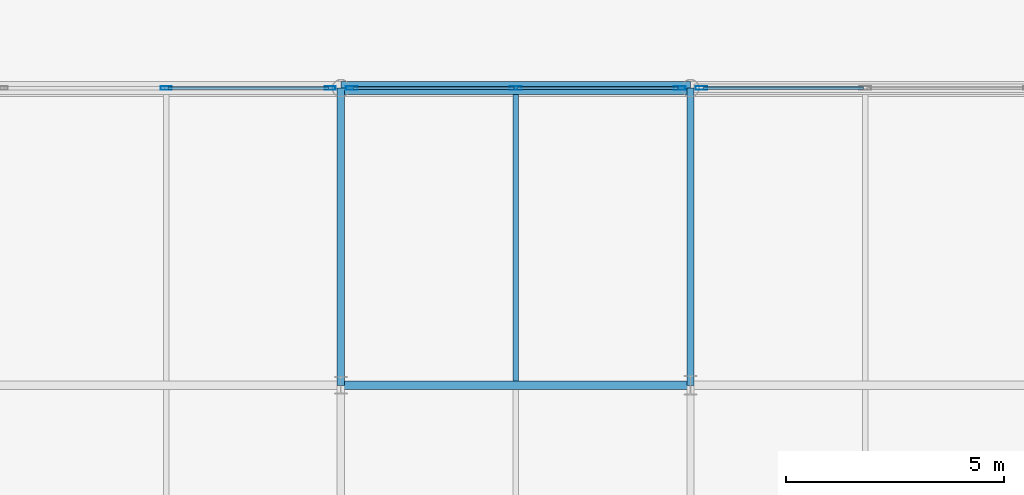
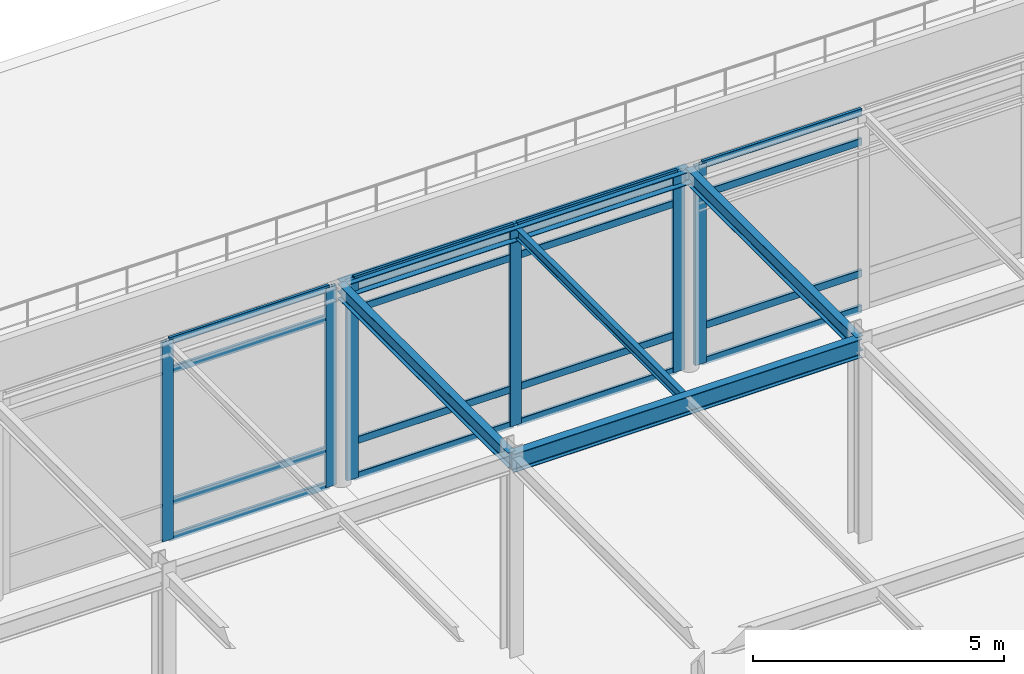
# One storey, part 50 of 113: 22 members, 5 beams, 3 elements without a shape of their own.
"""IFC4 building model written with IfcOpenShell, lengths in metres."""

from ifc_helpers import new_model, si_unit, direction, frame, origin, origin_2d, place, context, subcontext, project, spatial, hollow_rectangle, i_section, extrude, material, layer, layer_set, material_profile, profile_set, type_object, element, aggregate, save


model = new_model("IFC4")

# Units and contexts
model_context = context("Model", 3, precision=1e-05, world=origin(), true_north=direction((0.0, 1.0)))
body_context = subcontext(model_context, "Body", "Model", "MODEL_VIEW")
ifc_project = project(units=[si_unit("LENGTHUNIT", "METRE"), si_unit("AREAUNIT", "SQUARE_METRE"), si_unit("VOLUMEUNIT", "CUBIC_METRE"), si_unit("PLANEANGLEUNIT", "RADIAN"), si_unit("MASSUNIT", "GRAM", prefix="KILO")], contexts=[model_context])

# Site, building, storey
site_placement = place(None, origin())
site = spatial("IfcSite", under=ifc_project, at=site_placement, CompositionType="ELEMENT")
building_placement = place(site_placement, origin())
building = spatial("IfcBuilding", under=site, at=building_placement, Name="Shalkamar Park Central Library", CompositionType="ELEMENT")
storey_placement = place(building_placement, frame((0.0, 0.0, 5.39990234375)))
storey = spatial("IfcBuildingStorey", under=building, at=storey_placement, Name="L02", CompositionType="ELEMENT", Elevation=5.39990234375)

# Beam
ifc_material_1 = material(Name="Steel S355", Category="steel")
ifc_material_profile_1 = material_profile(ifc_material_1, i_section(OverallWidth=0.1201171875, OverallDepth=0.239990234375, WebThickness=0.006103515625, FlangeThickness=0.009765625, FilletRadius=0.014892578125, at=origin_2d()), Name="IPE 240")
ifc_profile_set_1 = profile_set([ifc_material_profile_1], Name="Steel S355")
beam_type_1 = type_object("IfcBeamType", Name="Composite Floor Joist IPE240", PredefinedType="JOIST", material=ifc_profile_set_1)
beam_1_placement = place(storey_placement, frame((225.0, 331.29296875, 4.72998046875), z_axis=(0.0, 1.0, 0.0), x_axis=(-1.0, 0.0, 0.0)))
element("IfcBeam", 1, at=beam_1_placement, inside=storey, type_object=beam_type_1, Name="Composite Joist 14/N-1 (L02)", PredefinedType="JOIST", context=body_context, shape_type="SweptSolid", body=[
    extrude(i_section(OverallWidth=0.1201171875, OverallDepth=0.239990234375, WebThickness=0.006103515625, FlangeThickness=0.009765625, FilletRadius=0.014892578125, at=origin_2d()), origin(), (0.0, 0.0, 1.0), 6.55908203125),
])

# Curtain wall, members
ifc_material_2 = material(Name="Thermally broken aluminium and triple low-e curtain wall", Category="aluminium")
ifc_layer_1 = layer(ifc_material_2, 0.2548828125)
ifc_layer_set_1 = layer_set([ifc_layer_1], Name="UnitisedCurtainWall_30")
curtain_wall_type_1 = type_object("IfcCurtainWallType", Name="Unitised Curtain Wall 30", PredefinedType="USERDEFINED", material=ifc_layer_set_1)
curtain_wall_1_placement = place(storey_placement, origin())
curtain_wall_1 = element("IfcCurtainWall", 2, at=curtain_wall_1_placement, inside=storey, type_object=curtain_wall_type_1, Name="Unitised Curtain Wall CW-L02-034", ObjectType="UNITISED CURTAIN WALL", PredefinedType="USERDEFINED")
ifc_material_3 = material(Name="Aluminium 6060-T66", Category="aluminium")
ifc_material_profile_2 = material_profile(ifc_material_3, hollow_rectangle(XDim=0.080078125, YDim=0.2548828125, WallThickness=0.00439453125, InnerFilletRadius=0.00439453125, OuterFilletRadius=0.0068359375, at=origin_2d()), Name="ALU 80x255x4.5")
ifc_profile_set_2 = profile_set([ifc_material_profile_2], Name="Aluminium 6060-T66")
member_type_1 = type_object("IfcMemberType", Name="Curtain Wall Mullion ALU80x255", PredefinedType="MULLION", material=ifc_profile_set_2)
member_1_placement = place(storey_placement, frame((217.0, 338.0, 0.0), z_axis=(0.0, 0.0, 1.0), x_axis=(0.0, 1.0, 0.0)))
member_1 = element("IfcMember", 3, at=member_1_placement, type_object=member_type_1, Name="CW-30 mullion 2", PredefinedType="MULLION", context=body_context, shape_type="SweptSolid", body=[
    extrude(hollow_rectangle(XDim=0.080078125, YDim=0.2548828125, WallThickness=0.00439453125, InnerFilletRadius=0.00439453125, OuterFilletRadius=0.0068359375, at=origin_2d()), origin(), (0.0, 0.0, 1.0), 4.85009765625),
])
member_2_placement = place(storey_placement, frame((220.752685546875, 338.0, 0.0), z_axis=(0.0, 0.0, 1.0), x_axis=(0.0, 1.0, 0.0)))
member_2 = element("IfcMember", 4, at=member_2_placement, type_object=member_type_1, Name="CW-30 mullion 3", PredefinedType="MULLION", context=body_context, shape_type="SweptSolid", body=[
    extrude(hollow_rectangle(XDim=0.080078125, YDim=0.2548828125, WallThickness=0.00439453125, InnerFilletRadius=0.00439453125, OuterFilletRadius=0.0068359375, at=origin_2d()), origin(), (0.0, 0.0, 1.0), 4.85009765625),
])

ifc_layer_2 = layer(ifc_material_2, 0.27001953125)
ifc_layer_set_2 = layer_set([ifc_layer_2], Name="UnitisedCurtainWall_31")
curtain_wall_type_2 = type_object("IfcCurtainWallType", Name="Unitised Curtain Wall 31", PredefinedType="USERDEFINED", material=ifc_layer_set_2)
curtain_wall_2_placement = place(storey_placement, origin())
curtain_wall_2 = element("IfcCurtainWall", 5, at=curtain_wall_2_placement, inside=storey, type_object=curtain_wall_type_2, Name="Unitised Curtain Wall CW-L02-035", ObjectType="UNITISED CURTAIN WALL", PredefinedType="USERDEFINED")
ifc_material_profile_3 = material_profile(ifc_material_3, hollow_rectangle(XDim=0.080078125, YDim=0.27001953125, WallThickness=0.0048828125, InnerFilletRadius=0.0048828125, OuterFilletRadius=0.007568359375, at=origin_2d()), Name="ALU 80x270x5")
ifc_profile_set_3 = profile_set([ifc_material_profile_3], Name="Aluminium 6060-T66")
member_type_2 = type_object("IfcMemberType", Name="Curtain Wall Mullion ALU80x270", PredefinedType="MULLION", material=ifc_profile_set_3)
member_3_placement = place(storey_placement, frame((221.247314453125, 338.0, 0.0), z_axis=(0.0, 0.0, 1.0), x_axis=(0.0, 1.0, 0.0)))
member_3 = element("IfcMember", 6, at=member_3_placement, type_object=member_type_2, Name="CW-31 mullion 1", PredefinedType="MULLION", context=body_context, shape_type="SweptSolid", body=[
    extrude(hollow_rectangle(XDim=0.080078125, YDim=0.27001953125, WallThickness=0.0048828125, InnerFilletRadius=0.0048828125, OuterFilletRadius=0.007568359375, at=origin_2d()), origin(), (0.0, 0.0, 1.0), 4.85009765625),
])
member_4_placement = place(storey_placement, frame((225.0, 338.0, 0.0), z_axis=(0.0, 0.0, 1.0), x_axis=(0.0, 1.0, 0.0)))
member_4 = element("IfcMember", 7, at=member_4_placement, type_object=member_type_2, Name="CW-31 mullion 2", PredefinedType="MULLION", context=body_context, shape_type="SweptSolid", body=[
    extrude(hollow_rectangle(XDim=0.080078125, YDim=0.27001953125, WallThickness=0.0048828125, InnerFilletRadius=0.0048828125, OuterFilletRadius=0.007568359375, at=origin_2d()), origin(), (0.0, 0.0, 1.0), 4.85009765625),
])
member_5_placement = place(storey_placement, frame((228.752685546875, 338.0, 0.0), z_axis=(0.0, 0.0, 1.0), x_axis=(0.0, 1.0, 0.0)))
member_5 = element("IfcMember", 8, at=member_5_placement, type_object=member_type_2, Name="CW-31 mullion 3", PredefinedType="MULLION", context=body_context, shape_type="SweptSolid", body=[
    extrude(hollow_rectangle(XDim=0.080078125, YDim=0.27001953125, WallThickness=0.0048828125, InnerFilletRadius=0.0048828125, OuterFilletRadius=0.007568359375, at=origin_2d()), origin(), (0.0, 0.0, 1.0), 4.85009765625),
])

# Curtain wall, member
ifc_layer_3 = layer(ifc_material_2, 0.264892578125)
ifc_layer_set_3 = layer_set([ifc_layer_3], Name="UnitisedCurtainWall_32")
curtain_wall_type_3 = type_object("IfcCurtainWallType", Name="Unitised Curtain Wall 32", PredefinedType="USERDEFINED", material=ifc_layer_set_3)
curtain_wall_3_placement = place(storey_placement, origin())
curtain_wall_3 = element("IfcCurtainWall", 9, at=curtain_wall_3_placement, inside=storey, type_object=curtain_wall_type_3, Name="Unitised Curtain Wall CW-L02-036", ObjectType="UNITISED CURTAIN WALL", PredefinedType="USERDEFINED")
ifc_material_profile_4 = material_profile(ifc_material_3, hollow_rectangle(XDim=0.0849609375, YDim=0.264892578125, WallThickness=0.0048828125, InnerFilletRadius=0.0048828125, OuterFilletRadius=0.007568359375, at=origin_2d()), Name="ALU 85x265x5")
ifc_profile_set_4 = profile_set([ifc_material_profile_4], Name="Aluminium 6060-T66")
member_type_3 = type_object("IfcMemberType", Name="Curtain Wall Mullion ALU85x265", PredefinedType="MULLION", material=ifc_profile_set_4)
member_6_placement = place(storey_placement, frame((229.249755859375, 338.0, 0.0), z_axis=(0.0, 0.0, 1.0), x_axis=(0.0, 1.0, 0.0)))
member_6 = element("IfcMember", 10, at=member_6_placement, type_object=member_type_3, Name="CW-32 mullion 1", PredefinedType="MULLION", context=body_context, shape_type="SweptSolid", body=[
    extrude(hollow_rectangle(XDim=0.0849609375, YDim=0.264892578125, WallThickness=0.0048828125, InnerFilletRadius=0.0048828125, OuterFilletRadius=0.007568359375, at=origin_2d()), origin(), (0.0, 0.0, 1.0), 4.85009765625),
])

# Member
ifc_material_profile_5 = material_profile(ifc_material_3, hollow_rectangle(XDim=0.06494140625, YDim=0.169921875, WallThickness=0.00390625, InnerFilletRadius=0.00390625, OuterFilletRadius=0.006103515625, at=origin_2d()), Name="ALU 65x170x4")
ifc_profile_set_5 = profile_set([ifc_material_profile_5], Name="Aluminium 6060-T66")
member_type_4 = type_object("IfcMemberType", Name="Curtain Wall Transom ALU65x170", PredefinedType="USERDEFINED", material=ifc_profile_set_5)
member_7_placement = place(storey_placement, frame((217.0400390625, 338.0, 0.03271484375), z_axis=(1.0, 0.0, 0.0), x_axis=(0.0, 1.0, 0.0)))
member_7 = element("IfcMember", 11, at=member_7_placement, type_object=member_type_4, Name="CW-30 transom 2.1", ObjectType="TRANSOM", PredefinedType="USERDEFINED", context=body_context, shape_type="SweptSolid", body=[
    extrude(hollow_rectangle(XDim=0.06494140625, YDim=0.169921875, WallThickness=0.00390625, InnerFilletRadius=0.00390625, OuterFilletRadius=0.006103515625, at=origin_2d()), origin(), (0.0, 0.0, 1.0), 3.6728515625),
])

member_8_placement = place(storey_placement, frame((217.0400390625, 338.0, 0.900146484375), z_axis=(1.0, 0.0, 0.0), x_axis=(0.0, 1.0, 0.0)))
member_8 = element("IfcMember", 12, at=member_8_placement, type_object=member_type_4, Name="CW-30 transom 2.2", ObjectType="TRANSOM", PredefinedType="USERDEFINED", context=body_context, shape_type="SweptSolid", body=[
    extrude(hollow_rectangle(XDim=0.06494140625, YDim=0.169921875, WallThickness=0.00390625, InnerFilletRadius=0.00390625, OuterFilletRadius=0.006103515625, at=origin_2d()), origin(), (0.0, 0.0, 1.0), 3.6728515625),
])

member_9_placement = place(storey_placement, frame((217.0400390625, 338.0, 4.10009765625), z_axis=(1.0, 0.0, 0.0), x_axis=(0.0, 1.0, 0.0)))
member_9 = element("IfcMember", 13, at=member_9_placement, type_object=member_type_4, Name="CW-30 transom 2.3", ObjectType="TRANSOM", PredefinedType="USERDEFINED", context=body_context, shape_type="SweptSolid", body=[
    extrude(hollow_rectangle(XDim=0.06494140625, YDim=0.169921875, WallThickness=0.00390625, InnerFilletRadius=0.00390625, OuterFilletRadius=0.006103515625, at=origin_2d()), origin(), (0.0, 0.0, 1.0), 3.6728515625),
])

member_10_placement = place(storey_placement, frame((217.0400390625, 338.0, 4.817626953125), z_axis=(1.0, 0.0, 0.0), x_axis=(0.0, 1.0, 0.0)))
member_10 = element("IfcMember", 14, at=member_10_placement, type_object=member_type_4, Name="CW-30 transom 2.4", ObjectType="TRANSOM", PredefinedType="USERDEFINED", context=body_context, shape_type="SweptSolid", body=[
    extrude(hollow_rectangle(XDim=0.06494140625, YDim=0.169921875, WallThickness=0.00390625, InnerFilletRadius=0.00390625, OuterFilletRadius=0.006103515625, at=origin_2d()), origin(), (0.0, 0.0, 1.0), 3.6728515625),
])

aggregate(curtain_wall_1, [member_1, member_2, member_7, member_8, member_9, member_10])

ifc_material_profile_6 = material_profile(ifc_material_3, hollow_rectangle(XDim=0.06494140625, YDim=0.175048828125, WallThickness=0.00439453125, InnerFilletRadius=0.00439453125, OuterFilletRadius=0.0068359375, at=origin_2d()), Name="ALU 65x175x4.5")
ifc_profile_set_6 = profile_set([ifc_material_profile_6], Name="Aluminium 6060-T66")
member_type_5 = type_object("IfcMemberType", Name="Curtain Wall Transom ALU65x175", PredefinedType="USERDEFINED", material=ifc_profile_set_6)
member_11_placement = place(storey_placement, frame((221.287109375, 338.0, 0.03271484375), z_axis=(1.0, 0.0, 0.0), x_axis=(0.0, 1.0, 0.0)))
member_11 = element("IfcMember", 15, at=member_11_placement, type_object=member_type_5, Name="CW-31 transom 1.1", ObjectType="TRANSOM", PredefinedType="USERDEFINED", context=body_context, shape_type="SweptSolid", body=[
    extrude(hollow_rectangle(XDim=0.06494140625, YDim=0.175048828125, WallThickness=0.00439453125, InnerFilletRadius=0.00439453125, OuterFilletRadius=0.0068359375, at=origin_2d()), origin(), (0.0, 0.0, 1.0), 3.6728515625),
])

member_12_placement = place(storey_placement, frame((221.287109375, 338.0, 0.900146484375), z_axis=(1.0, 0.0, 0.0), x_axis=(0.0, 1.0, 0.0)))
member_12 = element("IfcMember", 16, at=member_12_placement, type_object=member_type_5, Name="CW-31 transom 1.2", ObjectType="TRANSOM", PredefinedType="USERDEFINED", context=body_context, shape_type="SweptSolid", body=[
    extrude(hollow_rectangle(XDim=0.06494140625, YDim=0.175048828125, WallThickness=0.00439453125, InnerFilletRadius=0.00439453125, OuterFilletRadius=0.0068359375, at=origin_2d()), origin(), (0.0, 0.0, 1.0), 3.6728515625),
])

member_13_placement = place(storey_placement, frame((221.287109375, 338.0, 4.10009765625), z_axis=(1.0, 0.0, 0.0), x_axis=(0.0, 1.0, 0.0)))
member_13 = element("IfcMember", 17, at=member_13_placement, type_object=member_type_5, Name="CW-31 transom 1.3", ObjectType="TRANSOM", PredefinedType="USERDEFINED", context=body_context, shape_type="SweptSolid", body=[
    extrude(hollow_rectangle(XDim=0.06494140625, YDim=0.175048828125, WallThickness=0.00439453125, InnerFilletRadius=0.00439453125, OuterFilletRadius=0.0068359375, at=origin_2d()), origin(), (0.0, 0.0, 1.0), 3.6728515625),
])

member_14_placement = place(storey_placement, frame((221.287109375, 338.0, 4.817626953125), z_axis=(1.0, 0.0, 0.0), x_axis=(0.0, 1.0, 0.0)))
member_14 = element("IfcMember", 18, at=member_14_placement, type_object=member_type_5, Name="CW-31 transom 1.4", ObjectType="TRANSOM", PredefinedType="USERDEFINED", context=body_context, shape_type="SweptSolid", body=[
    extrude(hollow_rectangle(XDim=0.06494140625, YDim=0.175048828125, WallThickness=0.00439453125, InnerFilletRadius=0.00439453125, OuterFilletRadius=0.0068359375, at=origin_2d()), origin(), (0.0, 0.0, 1.0), 3.6728515625),
])

member_15_placement = place(storey_placement, frame((225.0400390625, 338.0, 0.03271484375), z_axis=(1.0, 0.0, 0.0), x_axis=(0.0, 1.0, 0.0)))
member_15 = element("IfcMember", 19, at=member_15_placement, type_object=member_type_5, Name="CW-31 transom 2.1", ObjectType="TRANSOM", PredefinedType="USERDEFINED", context=body_context, shape_type="SweptSolid", body=[
    extrude(hollow_rectangle(XDim=0.06494140625, YDim=0.175048828125, WallThickness=0.00439453125, InnerFilletRadius=0.00439453125, OuterFilletRadius=0.0068359375, at=origin_2d()), origin(), (0.0, 0.0, 1.0), 3.6728515625),
])

member_16_placement = place(storey_placement, frame((225.0400390625, 338.0, 0.900146484375), z_axis=(1.0, 0.0, 0.0), x_axis=(0.0, 1.0, 0.0)))
member_16 = element("IfcMember", 20, at=member_16_placement, type_object=member_type_5, Name="CW-31 transom 2.2", ObjectType="TRANSOM", PredefinedType="USERDEFINED", context=body_context, shape_type="SweptSolid", body=[
    extrude(hollow_rectangle(XDim=0.06494140625, YDim=0.175048828125, WallThickness=0.00439453125, InnerFilletRadius=0.00439453125, OuterFilletRadius=0.0068359375, at=origin_2d()), origin(), (0.0, 0.0, 1.0), 3.6728515625),
])

member_17_placement = place(storey_placement, frame((225.0400390625, 338.0, 4.10009765625), z_axis=(1.0, 0.0, 0.0), x_axis=(0.0, 1.0, 0.0)))
member_17 = element("IfcMember", 21, at=member_17_placement, type_object=member_type_5, Name="CW-31 transom 2.3", ObjectType="TRANSOM", PredefinedType="USERDEFINED", context=body_context, shape_type="SweptSolid", body=[
    extrude(hollow_rectangle(XDim=0.06494140625, YDim=0.175048828125, WallThickness=0.00439453125, InnerFilletRadius=0.00439453125, OuterFilletRadius=0.0068359375, at=origin_2d()), origin(), (0.0, 0.0, 1.0), 3.6728515625),
])

member_18_placement = place(storey_placement, frame((225.0400390625, 338.0, 4.817626953125), z_axis=(1.0, 0.0, 0.0), x_axis=(0.0, 1.0, 0.0)))
member_18 = element("IfcMember", 22, at=member_18_placement, type_object=member_type_5, Name="CW-31 transom 2.4", ObjectType="TRANSOM", PredefinedType="USERDEFINED", context=body_context, shape_type="SweptSolid", body=[
    extrude(hollow_rectangle(XDim=0.06494140625, YDim=0.175048828125, WallThickness=0.00439453125, InnerFilletRadius=0.00439453125, OuterFilletRadius=0.0068359375, at=origin_2d()), origin(), (0.0, 0.0, 1.0), 3.6728515625),
])

aggregate(curtain_wall_2, [member_3, member_4, member_5, member_11, member_12, member_13, member_14, member_15, member_16, member_17, member_18])

ifc_material_profile_7 = material_profile(ifc_material_3, hollow_rectangle(XDim=0.070068359375, YDim=0.179931640625, WallThickness=0.00439453125, InnerFilletRadius=0.00439453125, OuterFilletRadius=0.0068359375, at=origin_2d()), Name="ALU 70x180x4.5")
ifc_profile_set_7 = profile_set([ifc_material_profile_7], Name="Aluminium 6060-T66")
member_type_6 = type_object("IfcMemberType", Name="Curtain Wall Transom ALU70x180", PredefinedType="USERDEFINED", material=ifc_profile_set_7)
member_19_placement = place(storey_placement, frame((229.292236328125, 338.0, 0.03515625), z_axis=(1.0, 0.0, 0.0), x_axis=(0.0, 1.0, 0.0)))
member_19 = element("IfcMember", 23, at=member_19_placement, type_object=member_type_6, Name="CW-32 transom 1.1", ObjectType="TRANSOM", PredefinedType="USERDEFINED", context=body_context, shape_type="SweptSolid", body=[
    extrude(hollow_rectangle(XDim=0.070068359375, YDim=0.179931640625, WallThickness=0.00439453125, InnerFilletRadius=0.00439453125, OuterFilletRadius=0.0068359375, at=origin_2d()), origin(), (0.0, 0.0, 1.0), 3.665283203125),
])

member_20_placement = place(storey_placement, frame((229.292236328125, 338.0, 0.900146484375), z_axis=(1.0, 0.0, 0.0), x_axis=(0.0, 1.0, 0.0)))
member_20 = element("IfcMember", 24, at=member_20_placement, type_object=member_type_6, Name="CW-32 transom 1.2", ObjectType="TRANSOM", PredefinedType="USERDEFINED", context=body_context, shape_type="SweptSolid", body=[
    extrude(hollow_rectangle(XDim=0.070068359375, YDim=0.179931640625, WallThickness=0.00439453125, InnerFilletRadius=0.00439453125, OuterFilletRadius=0.0068359375, at=origin_2d()), origin(), (0.0, 0.0, 1.0), 3.665283203125),
])

member_21_placement = place(storey_placement, frame((229.292236328125, 338.0, 4.10009765625), z_axis=(1.0, 0.0, 0.0), x_axis=(0.0, 1.0, 0.0)))
member_21 = element("IfcMember", 25, at=member_21_placement, type_object=member_type_6, Name="CW-32 transom 1.3", ObjectType="TRANSOM", PredefinedType="USERDEFINED", context=body_context, shape_type="SweptSolid", body=[
    extrude(hollow_rectangle(XDim=0.070068359375, YDim=0.179931640625, WallThickness=0.00439453125, InnerFilletRadius=0.00439453125, OuterFilletRadius=0.0068359375, at=origin_2d()), origin(), (0.0, 0.0, 1.0), 3.665283203125),
])

member_22_placement = place(storey_placement, frame((229.292236328125, 338.0, 4.815185546875), z_axis=(1.0, 0.0, 0.0), x_axis=(0.0, 1.0, 0.0)))
member_22 = element("IfcMember", 26, at=member_22_placement, type_object=member_type_6, Name="CW-32 transom 1.4", ObjectType="TRANSOM", PredefinedType="USERDEFINED", context=body_context, shape_type="SweptSolid", body=[
    extrude(hollow_rectangle(XDim=0.070068359375, YDim=0.179931640625, WallThickness=0.00439453125, InnerFilletRadius=0.00439453125, OuterFilletRadius=0.0068359375, at=origin_2d()), origin(), (0.0, 0.0, 1.0), 3.665283203125),
])

aggregate(curtain_wall_3, [member_6, member_19, member_20, member_21, member_22])

# Beams
ifc_material_profile_8 = material_profile(ifc_material_1, i_section(OverallWidth=0.300048828125, OverallDepth=0.31005859375, WebThickness=0.009033203125, FlangeThickness=0.015380859375, FilletRadius=0.027099609375, at=origin_2d()), Name="HEA 320")
ifc_profile_set_8 = profile_set([ifc_material_profile_8], Name="Steel S355")
beam_type_2 = type_object("IfcBeamType", Name="Perimeter Spandrel Beam HEA320", PredefinedType="SPANDREL", material=ifc_profile_set_8)
beam_2_placement = place(storey_placement, frame((221.0, 338.0, 4.695068359375), z_axis=(1.0, 0.0, 0.0), x_axis=(0.0, 1.0, 0.0)))
element("IfcBeam", 27, at=beam_2_placement, inside=storey, type_object=beam_type_2, Name="Beam P:14-15 (L02)", PredefinedType="SPANDREL", context=body_context, shape_type="SweptSolid", body=[
    extrude(i_section(OverallWidth=0.300048828125, OverallDepth=0.31005859375, WebThickness=0.009033203125, FlangeThickness=0.015380859375, FilletRadius=0.027099609375, at=origin_2d()), origin(), (0.0, 0.0, 1.0), 8.0),
])
ifc_material_profile_9 = material_profile(ifc_material_1, i_section(OverallWidth=0.169921875, OverallDepth=0.360107421875, WebThickness=0.008056640625, FlangeThickness=0.0126953125, FilletRadius=0.01806640625, at=origin_2d()), Name="IPE 360")
ifc_profile_set_9 = profile_set([ifc_material_profile_9], Name="Steel S355")
beam_type_3 = type_object("IfcBeamType", Name="Primary Girder IPE360", PredefinedType="BEAM", material=ifc_profile_set_9)
for number, where, z_axis, x_axis, name in (
    (28, (221.0, 331.199951171875, 4.670166015625), (0.0, 1.0, 0.0), (-1.0, 0.0, 0.0), "Beam 14:N-P (L02)"),
    (29, (229.0, 331.199951171875, 4.670166015625), (0.0, 1.0, 0.0), (-1.0, 0.0, 0.0), "Beam 15:N-P (L02)"),
):
    element("IfcBeam", number, at=place(storey_placement, frame(where, z_axis=z_axis, x_axis=x_axis)), inside=storey, type_object=beam_type_3, Name=name, PredefinedType="BEAM", context=body_context, shape_type="SweptSolid", body=[
        extrude(i_section(OverallWidth=0.169921875, OverallDepth=0.360107421875, WebThickness=0.008056640625, FlangeThickness=0.0126953125, FilletRadius=0.01806640625, at=origin_2d()), origin(), (0.0, 0.0, 1.0), 6.800048828125),
    ])
ifc_material_profile_10 = material_profile(ifc_material_1, i_section(OverallWidth=0.18994140625, OverallDepth=0.449951171875, WebThickness=0.009521484375, FlangeThickness=0.0146484375, FilletRadius=0.02099609375, at=origin_2d()), Name="IPE 450")
ifc_profile_set_10 = profile_set([ifc_material_profile_10], Name="Steel S355")
beam_type_4 = type_object("IfcBeamType", Name="Primary Girder IPE450", PredefinedType="BEAM", material=ifc_profile_set_10)
beam_3_placement = place(storey_placement, frame((221.0, 331.199951171875, 4.625), z_axis=(1.0, 0.0, 0.0), x_axis=(0.0, 1.0, 0.0)))
element("IfcBeam", 30, at=beam_3_placement, inside=storey, type_object=beam_type_4, Name="Beam N:14-15 (L02)", PredefinedType="BEAM", context=body_context, shape_type="SweptSolid", body=[
    extrude(i_section(OverallWidth=0.18994140625, OverallDepth=0.449951171875, WebThickness=0.009521484375, FlangeThickness=0.0146484375, FilletRadius=0.02099609375, at=origin_2d()), origin(), (0.0, 0.0, 1.0), 8.0),
])

save(model, "model.ifc")
